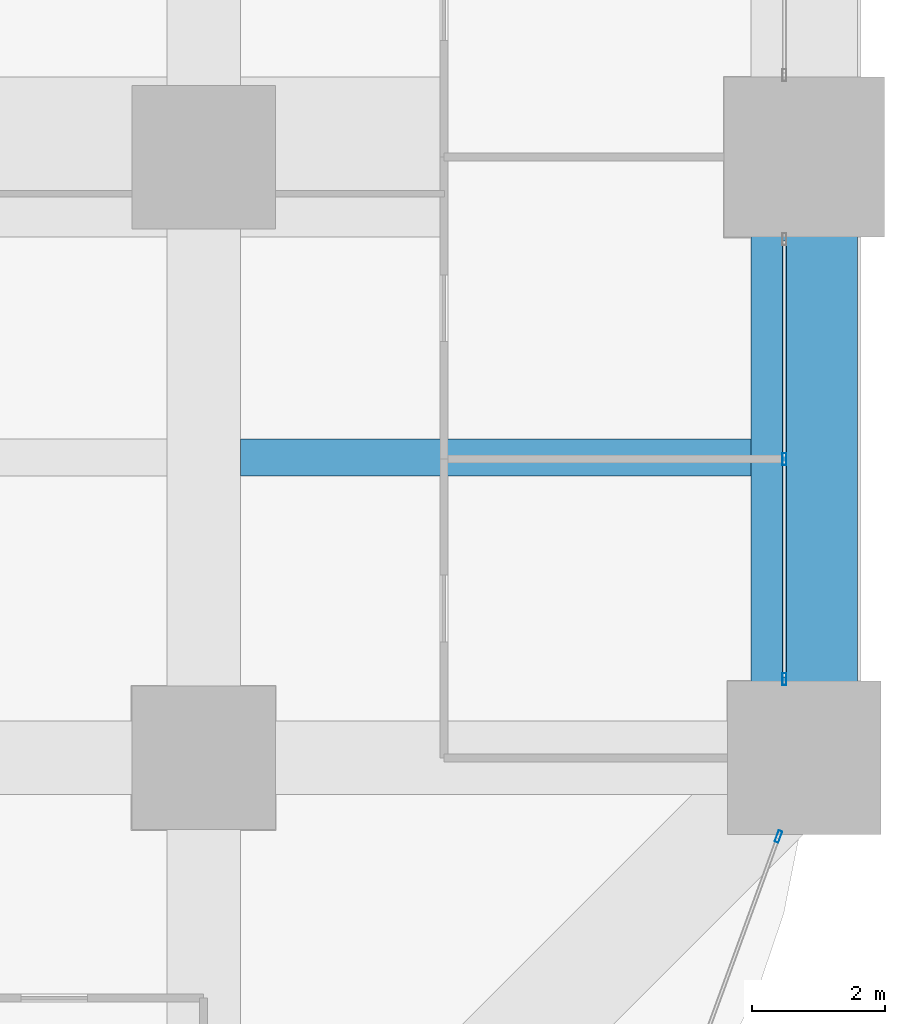
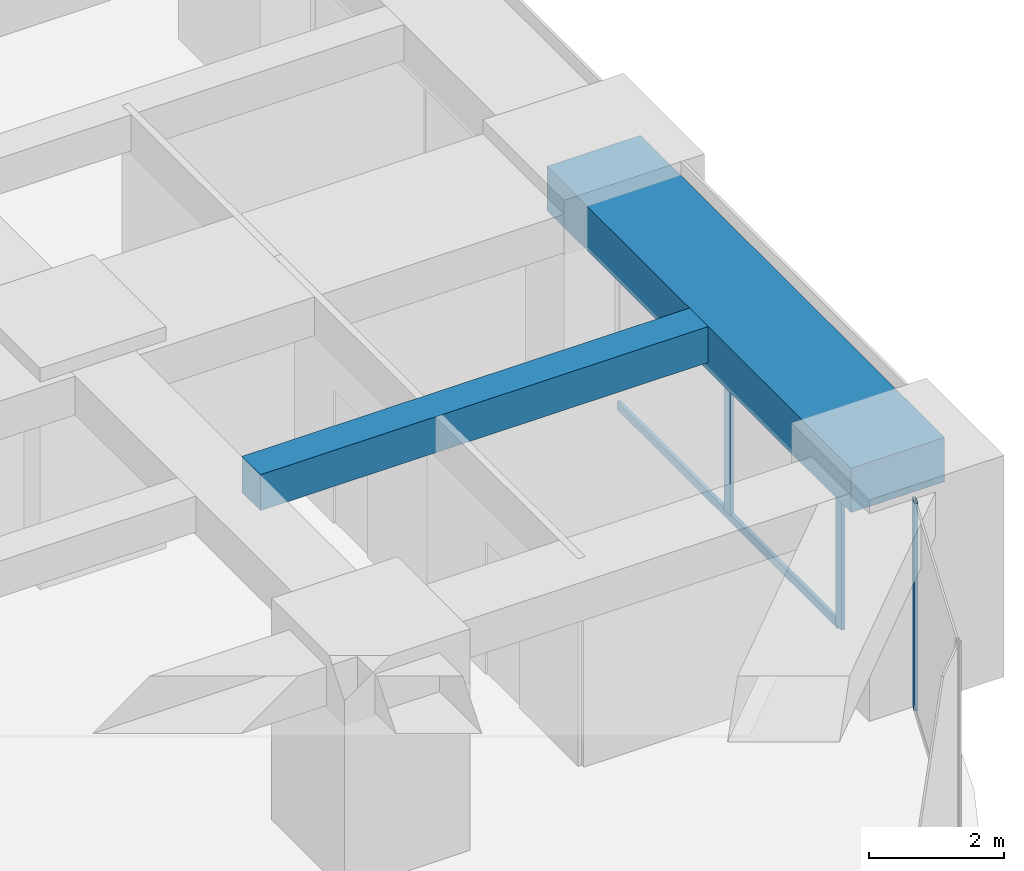
# One storey, part 18 of 45: 4 members, 2 beams, 2 elements without a shape of their own.
"""IFC4 building model written with IfcOpenShell, lengths in metres."""

from ifc_helpers import new_model, si_unit, direction, frame, origin, origin_2d, place, context, subcontext, project, spatial, rectangle, hollow_rectangle, extrude, material, material_profile, profile_set, type_object, element, aggregate, save


model = new_model("IFC4")

# Units and contexts
model_context = context("Model", 3, precision=1e-05, world=origin(), true_north=direction((0.0, 1.0)))
body_context = subcontext(model_context, "Body", "Model", "MODEL_VIEW")
ifc_project = project(units=[si_unit("LENGTHUNIT", "METRE"), si_unit("AREAUNIT", "SQUARE_METRE"), si_unit("VOLUMEUNIT", "CUBIC_METRE"), si_unit("PLANEANGLEUNIT", "RADIAN"), si_unit("MASSUNIT", "GRAM", prefix="KILO")], contexts=[model_context])

# Site, building, storey
site_placement = place(None, origin())
site = spatial("IfcSite", under=ifc_project, at=site_placement, CompositionType="ELEMENT")
building_placement = place(site_placement, origin())
building = spatial("IfcBuilding", under=site, at=building_placement, Name="Zorevar Civic Tower", CompositionType="ELEMENT")
storey_placement = place(building_placement, frame((0.0, 0.0, 71.800048828125)))
storey = spatial("IfcBuildingStorey", under=building, at=storey_placement, Name="L17", CompositionType="ELEMENT", Elevation=71.800048828125)

# Beam
ifc_material_1 = material(Name="Concrete C50/60", Category="concrete")
ifc_material_profile_1 = material_profile(ifc_material_1, rectangle(XDim=0.550048828125, YDim=0.64990234375, at=origin_2d()), Name="RC 550x650")
ifc_profile_set_1 = profile_set([ifc_material_profile_1], Name="Concrete C50/60")
beam_type_1 = type_object("IfcBeamType", Name="Beam RC 550x650", PredefinedType="BEAM", material=ifc_profile_set_1)
beam_1_placement = place(storey_placement, frame((54.550048828125, 13.5, 3.425048828125), z_axis=(1.0, 0.0, 0.0), x_axis=(0.0, 1.0, 0.0)))
element("IfcBeam", 1, at=beam_1_placement, inside=storey, type_object=beam_type_1, Name="Secondary beam L18", PredefinedType="BEAM", context=body_context, shape_type="SweptSolid", body=[
    extrude(rectangle(XDim=0.550048828125, YDim=0.64990234375, at=origin_2d()), origin(), (0.0, 0.0, 1.0), 7.64990234375),
])

# Curtain wall, members
ifc_material_2 = material(Name="Dark grey solar-control glass in black aluminium frame", Category="aluminium")
curtain_wall_type = type_object("IfcCurtainWallType", Name="Curtain wall CW2 low zone", PredefinedType="NOTDEFINED", material=ifc_material_2)
curtain_wall_1_placement = place(storey_placement, origin())
curtain_wall_1 = element("IfcCurtainWall", 2, at=curtain_wall_1_placement, inside=storey, type_object=curtain_wall_type, Name="CW2 L17", PredefinedType="NOTDEFINED")
ifc_material_3 = material(Name="Aluminium, black anodised", Category="aluminium")
ifc_material_profile_2 = material_profile(ifc_material_3, hollow_rectangle(XDim=0.06005859375, YDim=0.179931640625, WallThickness=0.00390625, at=origin_2d()), Name="AL 180x60x4")
ifc_profile_set_2 = profile_set([ifc_material_profile_2], Name="Aluminium, black anodised")
member_type_1 = type_object("IfcMemberType", Name="CW2 mullion AL 180x60x4", PredefinedType="MULLION", material=ifc_profile_set_2)
member_1_placement = place(storey_placement, frame((62.699951171875, 10.179931640625, 0.0), z_axis=(0.0, 0.0, 1.0), x_axis=(-1.0, 0.0, 0.0)))
member_1 = element("IfcMember", 3, at=member_1_placement, type_object=member_type_1, Name="CW2 mullion 1", PredefinedType="MULLION", context=body_context, shape_type="SweptSolid", body=[
    extrude(hollow_rectangle(XDim=0.06005859375, YDim=0.179931640625, WallThickness=0.00390625, at=origin_2d()), origin(), (0.0, 0.0, 1.0), 2.949951171875),
])
member_2_placement = place(storey_placement, frame((62.699951171875, 13.47509765625, 0.06005859375), z_axis=(0.0, 0.0, 1.0), x_axis=(-1.0, 0.0, 0.0)))
member_2 = element("IfcMember", 4, at=member_2_placement, type_object=member_type_1, Name="CW2 mullion 2", PredefinedType="MULLION", context=body_context, shape_type="SweptSolid", body=[
    extrude(hollow_rectangle(XDim=0.06005859375, YDim=0.179931640625, WallThickness=0.00390625, at=origin_2d()), origin(), (0.0, 0.0, 1.0), 2.889892578125),
])

# Curtain wall, member
curtain_wall_2_placement = place(storey_placement, origin())
curtain_wall_2 = element("IfcCurtainWall", 5, at=curtain_wall_2_placement, inside=storey, type_object=curtain_wall_type, Name="CW2 L17", PredefinedType="NOTDEFINED")
member_3_placement = place(storey_placement, frame((62.61328125, 7.82177734375, 0.0), z_axis=(0.0, 0.0, 1.0), x_axis=(-0.939313345732, 0.343060400701, 0.0)))
member_3 = element("IfcMember", 6, at=member_3_placement, type_object=member_type_1, Name="CW2 mullion 2", PredefinedType="MULLION", context=body_context, shape_type="SweptSolid", body=[
    extrude(hollow_rectangle(XDim=0.06005859375, YDim=0.179931640625, WallThickness=0.00390625, at=origin_2d()), origin(), (0.0, 0.0, 1.0), 3.75),
])
aggregate(curtain_wall_2, [member_3])

# Member
ifc_material_4 = material(Name="Aluminium, black anodised", Category="aluminium")
ifc_material_profile_3 = material_profile(ifc_material_4, hollow_rectangle(XDim=0.06005859375, YDim=0.14990234375, WallThickness=0.00390625, at=origin_2d()), Name="AL 150x60x4")
ifc_profile_set_3 = profile_set([ifc_material_profile_3], Name="Aluminium, black anodised")
member_type_2 = type_object("IfcMemberType", Name="CW2 transom AL 150x60x4", PredefinedType="USERDEFINED", material=ifc_profile_set_3)
member_4_placement = place(storey_placement, frame((62.699951171875, 10.2099609375, 0.030029296875), z_axis=(0.0, 1.0, 0.0), x_axis=(-1.0, 0.0, 0.0)))
member_4 = element("IfcMember", 7, at=member_4_placement, type_object=member_type_2, Name="CW2 sill transom", ObjectType="TRANSOM", PredefinedType="USERDEFINED", context=body_context, shape_type="SweptSolid", body=[
    extrude(hollow_rectangle(XDim=0.06005859375, YDim=0.14990234375, WallThickness=0.00390625, at=origin_2d()), origin(), (0.0, 0.0, 1.0), 6.530029296875),
])

aggregate(curtain_wall_1, [member_1, member_2, member_4])

# Beam
ifc_material_5 = material(Name="Concrete C50/60", Category="concrete")
ifc_material_profile_4 = material_profile(ifc_material_5, rectangle(XDim=1.60009765625, YDim=0.800048828125, at=origin_2d()), Name="RC 1600x800")
ifc_profile_set_4 = profile_set([ifc_material_profile_4], Name="Concrete C50/60")
beam_type_2 = type_object("IfcBeamType", Name="Edge beam RC 1600x800", PredefinedType="SPANDREL", material=ifc_profile_set_4)
beam_2_placement = place(storey_placement, frame((63.0, 9.0, 3.349853515625), z_axis=(0.0, 1.0, 0.0), x_axis=(-1.0, 0.0, 0.0)))
element("IfcBeam", 8, at=beam_2_placement, inside=storey, type_object=beam_type_2, Name="Edge beam L18", PredefinedType="SPANDREL", context=body_context, shape_type="SweptSolid", body=[
    extrude(rectangle(XDim=1.60009765625, YDim=0.800048828125, at=origin_2d()), origin(), (0.0, 0.0, 1.0), 9.0),
])

save(model, "model.ifc")
